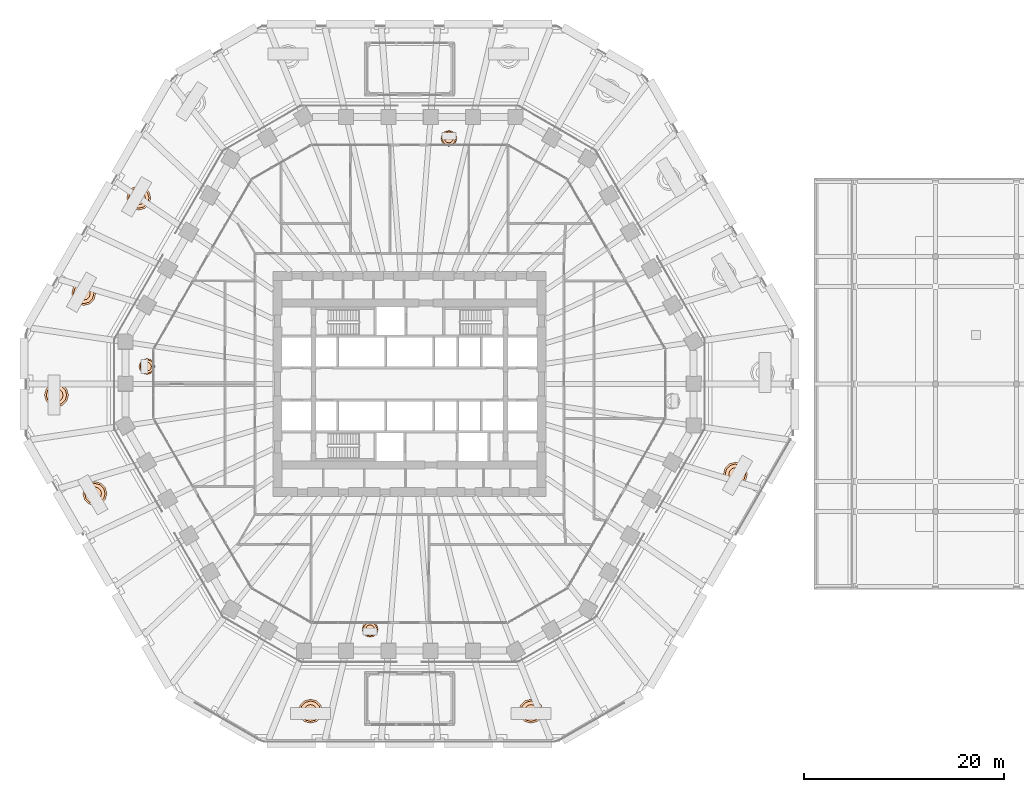
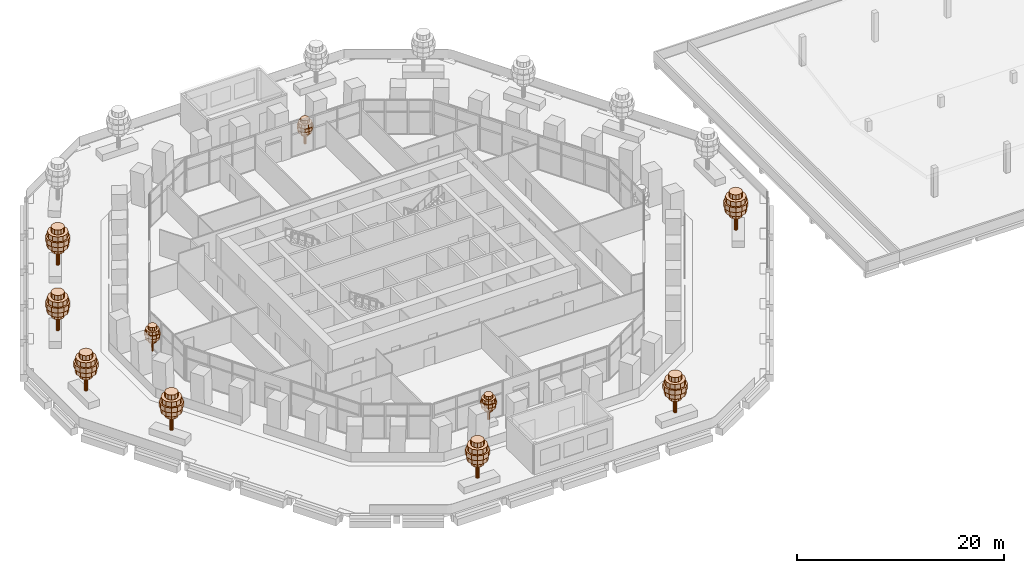
# One storey, part 31 of 32: 10 geographic elements.
"""IFC4 building model written with IfcOpenShell, lengths in metres."""

from ifc_helpers import new_model, si_unit, direction, frame, origin, place, context, subcontext, project, spatial, polyline, outline, extrude, material, type_object, element, save


model = new_model("IFC4")

# Units and contexts
model_context = context("Model", 3, precision=1e-05, world=origin(), true_north=direction((0.0, 1.0)))
body_context = subcontext(model_context, "Body", "Model", "MODEL_VIEW")
ifc_project = project(units=[si_unit("LENGTHUNIT", "METRE"), si_unit("AREAUNIT", "SQUARE_METRE"), si_unit("VOLUMEUNIT", "CUBIC_METRE"), si_unit("PLANEANGLEUNIT", "RADIAN"), si_unit("MASSUNIT", "GRAM", prefix="KILO")], contexts=[model_context])

# Site, building, storey
site_placement = place(None, origin())
site = spatial("IfcSite", under=ifc_project, at=site_placement, CompositionType="ELEMENT")
building_placement = place(site_placement, origin())
building = spatial("IfcBuilding", under=site, at=building_placement, Name="Frailejon Research Tower", CompositionType="ELEMENT")
storey_placement = place(building_placement, frame((0.0, 0.0, 14.60009765625)))
storey = spatial("IfcBuildingStorey", under=building, at=storey_placement, Name="L03", CompositionType="ELEMENT", Elevation=14.60009765625)

# Geographic elements
ifc_material_1 = material(Name="Foliage, green")
geographic_element_type_1 = type_object("IfcGeographicElementType", Name="Frailejon tree, loggia", PredefinedType="USERDEFINED", material=ifc_material_1)
geographic_element_1_placement = place(storey_placement, frame((3.942626953125, 24.550048828125, 0.599853515625)))
element("IfcGeographicElement", 1, at=geographic_element_1_placement, inside=storey, type_object=geographic_element_type_1, Name="Tree L03", ObjectType="TREE", PredefinedType="USERDEFINED", context=body_context, shape_type="SweptSolid", body=[
    extrude(outline(polyline([(0.1298828125, 0.0), (0.112548828125, 0.06494140625), (0.06494140625, 0.112548828125), (0.0, 0.1298828125), (-0.06494140625, 0.112548828125), (-0.112548828125, 0.06494140625), (-0.1298828125, 0.0), (-0.112548828125, -0.06494140625), (-0.06494140625, -0.112548828125), (0.0, -0.1298828125), (0.06494140625, -0.112548828125), (0.112548828125, -0.06494140625), (0.1298828125, 0.0)])), origin(), (0.0, 0.0, 1.0), 2.239990234375),
    extrude(outline(polyline([(0.43994140625, 0.0), (0.381103515625, 0.219970703125), (0.219970703125, 0.381103515625), (0.0, 0.43994140625), (-0.219970703125, 0.381103515625), (-0.381103515625, 0.219970703125), (-0.43994140625, 0.0), (-0.381103515625, -0.219970703125), (-0.219970703125, -0.381103515625), (0.0, -0.43994140625), (0.219970703125, -0.381103515625), (0.381103515625, -0.219970703125), (0.43994140625, 0.0)])), frame((0.0, 0.0, 1.10009765625)), (0.0, 0.0, 1.0), 0.3798828125),
    extrude(outline(polyline([(0.719970703125, 0.0), (0.62353515625, 0.360107421875), (0.360107421875, 0.62353515625), (0.0, 0.719970703125), (-0.360107421875, 0.62353515625), (-0.62353515625, 0.360107421875), (-0.719970703125, 0.0), (-0.62353515625, -0.360107421875), (-0.360107421875, -0.62353515625), (0.0, -0.719970703125), (0.360107421875, -0.62353515625), (0.62353515625, -0.360107421875), (0.719970703125, 0.0)])), frame((0.0, 0.0, 1.47998046875)), (0.0, 0.0, 1.0), 0.3798828125),
    extrude(outline(polyline([(0.800048828125, 0.0), (0.69287109375, 0.39990234375), (0.39990234375, 0.69287109375), (0.0, 0.800048828125), (-0.39990234375, 0.69287109375), (-0.69287109375, 0.39990234375), (-0.800048828125, 0.0), (-0.69287109375, -0.39990234375), (-0.39990234375, -0.69287109375), (0.0, -0.800048828125), (0.39990234375, -0.69287109375), (0.69287109375, -0.39990234375), (0.800048828125, 0.0)])), frame((0.0, 0.0, 1.860107421875)), (0.0, 0.0, 1.0), 0.3798828125),
    extrude(outline(polyline([(0.679931640625, 0.0), (0.5888671875, 0.340087890625), (0.340087890625, 0.5888671875), (0.0, 0.679931640625), (-0.340087890625, 0.5888671875), (-0.5888671875, 0.340087890625), (-0.679931640625, 0.0), (-0.5888671875, -0.340087890625), (-0.340087890625, -0.5888671875), (0.0, -0.679931640625), (0.340087890625, -0.5888671875), (0.5888671875, -0.340087890625), (0.679931640625, 0.0)])), frame((0.0, 0.0, 2.239990234375)), (0.0, 0.0, 1.0), 0.3798828125),
    extrude(outline(polyline([(0.43994140625, 0.0), (0.381103515625, 0.219970703125), (0.219970703125, 0.381103515625), (0.0, 0.43994140625), (-0.219970703125, 0.381103515625), (-0.381103515625, 0.219970703125), (-0.43994140625, 0.0), (-0.381103515625, -0.219970703125), (-0.219970703125, -0.381103515625), (0.0, -0.43994140625), (0.219970703125, -0.381103515625), (0.381103515625, -0.219970703125), (0.43994140625, 0.0)])), frame((0.0, 0.0, 2.6201171875)), (0.0, 0.0, 1.0), 0.3798828125),
])
geographic_element_2_placement = place(storey_placement, frame((-26.2626953125, 1.732177734375, 0.599853515625)))
element("IfcGeographicElement", 2, at=geographic_element_2_placement, inside=storey, type_object=geographic_element_type_1, Name="Tree L03", ObjectType="TREE", PredefinedType="USERDEFINED", context=body_context, shape_type="SweptSolid", body=[
    extrude(outline(polyline([(0.1298828125, 0.0), (0.112548828125, 0.06494140625), (0.06494140625, 0.112548828125), (0.0, 0.1298828125), (-0.06494140625, 0.112548828125), (-0.112548828125, 0.06494140625), (-0.1298828125, 0.0), (-0.112548828125, -0.06494140625), (-0.06494140625, -0.112548828125), (0.0, -0.1298828125), (0.06494140625, -0.112548828125), (0.112548828125, -0.06494140625), (0.1298828125, 0.0)])), origin(), (0.0, 0.0, 1.0), 2.239990234375),
    extrude(outline(polyline([(0.43994140625, 0.0), (0.381103515625, 0.219970703125), (0.219970703125, 0.381103515625), (0.0, 0.43994140625), (-0.219970703125, 0.381103515625), (-0.381103515625, 0.219970703125), (-0.43994140625, 0.0), (-0.381103515625, -0.219970703125), (-0.219970703125, -0.381103515625), (0.0, -0.43994140625), (0.219970703125, -0.381103515625), (0.381103515625, -0.219970703125), (0.43994140625, 0.0)])), frame((0.0, 0.0, 1.10009765625)), (0.0, 0.0, 1.0), 0.3798828125),
    extrude(outline(polyline([(0.719970703125, 0.0), (0.62353515625, 0.360107421875), (0.360107421875, 0.62353515625), (0.0, 0.719970703125), (-0.360107421875, 0.62353515625), (-0.62353515625, 0.360107421875), (-0.719970703125, 0.0), (-0.62353515625, -0.360107421875), (-0.360107421875, -0.62353515625), (0.0, -0.719970703125), (0.360107421875, -0.62353515625), (0.62353515625, -0.360107421875), (0.719970703125, 0.0)])), frame((0.0, 0.0, 1.47998046875)), (0.0, 0.0, 1.0), 0.3798828125),
    extrude(outline(polyline([(0.800048828125, 0.0), (0.69287109375, 0.39990234375), (0.39990234375, 0.69287109375), (0.0, 0.800048828125), (-0.39990234375, 0.69287109375), (-0.69287109375, 0.39990234375), (-0.800048828125, 0.0), (-0.69287109375, -0.39990234375), (-0.39990234375, -0.69287109375), (0.0, -0.800048828125), (0.39990234375, -0.69287109375), (0.69287109375, -0.39990234375), (0.800048828125, 0.0)])), frame((0.0, 0.0, 1.860107421875)), (0.0, 0.0, 1.0), 0.3798828125),
    extrude(outline(polyline([(0.679931640625, 0.0), (0.5888671875, 0.340087890625), (0.340087890625, 0.5888671875), (0.0, 0.679931640625), (-0.340087890625, 0.5888671875), (-0.5888671875, 0.340087890625), (-0.679931640625, 0.0), (-0.5888671875, -0.340087890625), (-0.340087890625, -0.5888671875), (0.0, -0.679931640625), (0.340087890625, -0.5888671875), (0.5888671875, -0.340087890625), (0.679931640625, 0.0)])), frame((0.0, 0.0, 2.239990234375)), (0.0, 0.0, 1.0), 0.3798828125),
    extrude(outline(polyline([(0.43994140625, 0.0), (0.381103515625, 0.219970703125), (0.219970703125, 0.381103515625), (0.0, 0.43994140625), (-0.219970703125, 0.381103515625), (-0.381103515625, 0.219970703125), (-0.43994140625, 0.0), (-0.381103515625, -0.219970703125), (-0.219970703125, -0.381103515625), (0.0, -0.43994140625), (0.219970703125, -0.381103515625), (0.381103515625, -0.219970703125), (0.43994140625, 0.0)])), frame((0.0, 0.0, 2.6201171875)), (0.0, 0.0, 1.0), 0.3798828125),
])
geographic_element_3_placement = place(storey_placement, frame((-3.942626953125, -24.550048828125, 0.599853515625)))
element("IfcGeographicElement", 3, at=geographic_element_3_placement, inside=storey, type_object=geographic_element_type_1, Name="Tree L03", ObjectType="TREE", PredefinedType="USERDEFINED", context=body_context, shape_type="SweptSolid", body=[
    extrude(outline(polyline([(0.1298828125, 0.0), (0.112548828125, 0.06494140625), (0.06494140625, 0.112548828125), (0.0, 0.1298828125), (-0.06494140625, 0.112548828125), (-0.112548828125, 0.06494140625), (-0.1298828125, 0.0), (-0.112548828125, -0.06494140625), (-0.06494140625, -0.112548828125), (0.0, -0.1298828125), (0.06494140625, -0.112548828125), (0.112548828125, -0.06494140625), (0.1298828125, 0.0)])), origin(), (0.0, 0.0, 1.0), 2.239990234375),
    extrude(outline(polyline([(0.43994140625, 0.0), (0.381103515625, 0.219970703125), (0.219970703125, 0.381103515625), (0.0, 0.43994140625), (-0.219970703125, 0.381103515625), (-0.381103515625, 0.219970703125), (-0.43994140625, 0.0), (-0.381103515625, -0.219970703125), (-0.219970703125, -0.381103515625), (0.0, -0.43994140625), (0.219970703125, -0.381103515625), (0.381103515625, -0.219970703125), (0.43994140625, 0.0)])), frame((0.0, 0.0, 1.10009765625)), (0.0, 0.0, 1.0), 0.3798828125),
    extrude(outline(polyline([(0.719970703125, 0.0), (0.62353515625, 0.360107421875), (0.360107421875, 0.62353515625), (0.0, 0.719970703125), (-0.360107421875, 0.62353515625), (-0.62353515625, 0.360107421875), (-0.719970703125, 0.0), (-0.62353515625, -0.360107421875), (-0.360107421875, -0.62353515625), (0.0, -0.719970703125), (0.360107421875, -0.62353515625), (0.62353515625, -0.360107421875), (0.719970703125, 0.0)])), frame((0.0, 0.0, 1.47998046875)), (0.0, 0.0, 1.0), 0.3798828125),
    extrude(outline(polyline([(0.800048828125, 0.0), (0.69287109375, 0.39990234375), (0.39990234375, 0.69287109375), (0.0, 0.800048828125), (-0.39990234375, 0.69287109375), (-0.69287109375, 0.39990234375), (-0.800048828125, 0.0), (-0.69287109375, -0.39990234375), (-0.39990234375, -0.69287109375), (0.0, -0.800048828125), (0.39990234375, -0.69287109375), (0.69287109375, -0.39990234375), (0.800048828125, 0.0)])), frame((0.0, 0.0, 1.860107421875)), (0.0, 0.0, 1.0), 0.3798828125),
    extrude(outline(polyline([(0.679931640625, 0.0), (0.5888671875, 0.340087890625), (0.340087890625, 0.5888671875), (0.0, 0.679931640625), (-0.340087890625, 0.5888671875), (-0.5888671875, 0.340087890625), (-0.679931640625, 0.0), (-0.5888671875, -0.340087890625), (-0.340087890625, -0.5888671875), (0.0, -0.679931640625), (0.340087890625, -0.5888671875), (0.5888671875, -0.340087890625), (0.679931640625, 0.0)])), frame((0.0, 0.0, 2.239990234375)), (0.0, 0.0, 1.0), 0.3798828125),
    extrude(outline(polyline([(0.43994140625, 0.0), (0.381103515625, 0.219970703125), (0.219970703125, 0.381103515625), (0.0, 0.43994140625), (-0.219970703125, 0.381103515625), (-0.381103515625, 0.219970703125), (-0.43994140625, 0.0), (-0.381103515625, -0.219970703125), (-0.219970703125, -0.381103515625), (0.0, -0.43994140625), (0.219970703125, -0.381103515625), (0.381103515625, -0.219970703125), (0.43994140625, 0.0)])), frame((0.0, 0.0, 2.6201171875)), (0.0, 0.0, 1.0), 0.3798828125),
])
ifc_material_2 = material(Name="Foliage, green")
geographic_element_type_2 = type_object("IfcGeographicElementType", Name="Frailejon tree, terrace", PredefinedType="USERDEFINED", material=ifc_material_2)
geographic_element_4_placement = place(storey_placement, frame((-27.084716796875, 18.587646484375, 0.829833984375)))
element("IfcGeographicElement", 4, at=geographic_element_4_placement, inside=storey, type_object=geographic_element_type_2, Name="Tree L03", ObjectType="TREE", PredefinedType="USERDEFINED", context=body_context, shape_type="SweptSolid", body=[
    extrude(outline(polyline([(0.18994140625, 0.0), (0.16455078125, 0.094970703125), (0.094970703125, 0.16455078125), (0.0, 0.18994140625), (-0.094970703125, 0.16455078125), (-0.16455078125, 0.094970703125), (-0.18994140625, 0.0), (-0.16455078125, -0.094970703125), (-0.094970703125, -0.16455078125), (0.0, -0.18994140625), (0.094970703125, -0.16455078125), (0.16455078125, -0.094970703125), (0.18994140625, 0.0)])), origin(), (0.0, 0.0, 1.0), 3.360107421875),
    extrude(outline(polyline([(0.659912109375, 0.0), (0.571533203125, 0.330078125), (0.330078125, 0.571533203125), (0.0, 0.659912109375), (-0.330078125, 0.571533203125), (-0.571533203125, 0.330078125), (-0.659912109375, 0.0), (-0.571533203125, -0.330078125), (-0.330078125, -0.571533203125), (0.0, -0.659912109375), (0.330078125, -0.571533203125), (0.571533203125, -0.330078125), (0.659912109375, 0.0)])), frame((0.0, 0.0, 1.64990234375)), (0.0, 0.0, 1.0), 0.570068359375),
    extrude(outline(polyline([(1.080078125, 0.0), (0.935302734375, 0.5400390625), (0.5400390625, 0.935302734375), (0.0, 1.080078125), (-0.5400390625, 0.935302734375), (-0.935302734375, 0.5400390625), (-1.080078125, 0.0), (-0.935302734375, -0.5400390625), (-0.5400390625, -0.935302734375), (0.0, -1.080078125), (0.5400390625, -0.935302734375), (0.935302734375, -0.5400390625), (1.080078125, 0.0)])), frame((0.0, 0.0, 2.219970703125)), (0.0, 0.0, 1.0), 0.570068359375),
    extrude(outline(polyline([(1.199951171875, 0.0), (1.039306640625, 0.60009765625), (0.60009765625, 1.039306640625), (0.0, 1.199951171875), (-0.60009765625, 1.039306640625), (-1.039306640625, 0.60009765625), (-1.199951171875, 0.0), (-1.039306640625, -0.60009765625), (-0.60009765625, -1.039306640625), (0.0, -1.199951171875), (0.60009765625, -1.039306640625), (1.039306640625, -0.60009765625), (1.199951171875, 0.0)])), frame((0.0, 0.0, 2.7900390625)), (0.0, 0.0, 1.0), 0.570068359375),
    extrude(outline(polyline([(1.02001953125, 0.0), (0.88330078125, 0.510009765625), (0.510009765625, 0.88330078125), (0.0, 1.02001953125), (-0.510009765625, 0.88330078125), (-0.88330078125, 0.510009765625), (-1.02001953125, 0.0), (-0.88330078125, -0.510009765625), (-0.510009765625, -0.88330078125), (0.0, -1.02001953125), (0.510009765625, -0.88330078125), (0.88330078125, -0.510009765625), (1.02001953125, 0.0)])), frame((0.0, 0.0, 3.360107421875)), (0.0, 0.0, 1.0), 0.570068359375),
    extrude(outline(polyline([(0.659912109375, 0.0), (0.571533203125, 0.330078125), (0.330078125, 0.571533203125), (0.0, 0.659912109375), (-0.330078125, 0.571533203125), (-0.571533203125, 0.330078125), (-0.659912109375, 0.0), (-0.571533203125, -0.330078125), (-0.330078125, -0.571533203125), (0.0, -0.659912109375), (0.330078125, -0.571533203125), (0.571533203125, -0.330078125), (0.659912109375, 0.0)])), frame((0.0, 0.0, 3.929931640625)), (0.0, 0.0, 1.0), 0.570068359375),
])
geographic_element_5_placement = place(storey_placement, frame((-32.5966796875, 9.040771484375, 0.829833984375)))
element("IfcGeographicElement", 5, at=geographic_element_5_placement, inside=storey, type_object=geographic_element_type_2, Name="Tree L03", ObjectType="TREE", PredefinedType="USERDEFINED", context=body_context, shape_type="SweptSolid", body=[
    extrude(outline(polyline([(0.18994140625, 0.0), (0.16455078125, 0.094970703125), (0.094970703125, 0.16455078125), (0.0, 0.18994140625), (-0.094970703125, 0.16455078125), (-0.16455078125, 0.094970703125), (-0.18994140625, 0.0), (-0.16455078125, -0.094970703125), (-0.094970703125, -0.16455078125), (0.0, -0.18994140625), (0.094970703125, -0.16455078125), (0.16455078125, -0.094970703125), (0.18994140625, 0.0)])), origin(), (0.0, 0.0, 1.0), 3.360107421875),
    extrude(outline(polyline([(0.659912109375, 0.0), (0.571533203125, 0.330078125), (0.330078125, 0.571533203125), (0.0, 0.659912109375), (-0.330078125, 0.571533203125), (-0.571533203125, 0.330078125), (-0.659912109375, 0.0), (-0.571533203125, -0.330078125), (-0.330078125, -0.571533203125), (0.0, -0.659912109375), (0.330078125, -0.571533203125), (0.571533203125, -0.330078125), (0.659912109375, 0.0)])), frame((0.0, 0.0, 1.64990234375)), (0.0, 0.0, 1.0), 0.570068359375),
    extrude(outline(polyline([(1.080078125, 0.0), (0.935302734375, 0.5400390625), (0.5400390625, 0.935302734375), (0.0, 1.080078125), (-0.5400390625, 0.935302734375), (-0.935302734375, 0.5400390625), (-1.080078125, 0.0), (-0.935302734375, -0.5400390625), (-0.5400390625, -0.935302734375), (0.0, -1.080078125), (0.5400390625, -0.935302734375), (0.935302734375, -0.5400390625), (1.080078125, 0.0)])), frame((0.0, 0.0, 2.219970703125)), (0.0, 0.0, 1.0), 0.570068359375),
    extrude(outline(polyline([(1.199951171875, 0.0), (1.039306640625, 0.60009765625), (0.60009765625, 1.039306640625), (0.0, 1.199951171875), (-0.60009765625, 1.039306640625), (-1.039306640625, 0.60009765625), (-1.199951171875, 0.0), (-1.039306640625, -0.60009765625), (-0.60009765625, -1.039306640625), (0.0, -1.199951171875), (0.60009765625, -1.039306640625), (1.039306640625, -0.60009765625), (1.199951171875, 0.0)])), frame((0.0, 0.0, 2.7900390625)), (0.0, 0.0, 1.0), 0.570068359375),
    extrude(outline(polyline([(1.02001953125, 0.0), (0.88330078125, 0.510009765625), (0.510009765625, 0.88330078125), (0.0, 1.02001953125), (-0.510009765625, 0.88330078125), (-0.88330078125, 0.510009765625), (-1.02001953125, 0.0), (-0.88330078125, -0.510009765625), (-0.510009765625, -0.88330078125), (0.0, -1.02001953125), (0.510009765625, -0.88330078125), (0.88330078125, -0.510009765625), (1.02001953125, 0.0)])), frame((0.0, 0.0, 3.360107421875)), (0.0, 0.0, 1.0), 0.570068359375),
    extrude(outline(polyline([(0.659912109375, 0.0), (0.571533203125, 0.330078125), (0.330078125, 0.571533203125), (0.0, 0.659912109375), (-0.330078125, 0.571533203125), (-0.571533203125, 0.330078125), (-0.659912109375, 0.0), (-0.571533203125, -0.330078125), (-0.330078125, -0.571533203125), (0.0, -0.659912109375), (0.330078125, -0.571533203125), (0.571533203125, -0.330078125), (0.659912109375, 0.0)])), frame((0.0, 0.0, 3.929931640625)), (0.0, 0.0, 1.0), 0.570068359375),
])
geographic_element_6_placement = place(storey_placement, frame((-35.319091796875, -1.11962890625, 0.829833984375)))
element("IfcGeographicElement", 6, at=geographic_element_6_placement, inside=storey, type_object=geographic_element_type_2, Name="Tree L03", ObjectType="TREE", PredefinedType="USERDEFINED", context=body_context, shape_type="SweptSolid", body=[
    extrude(outline(polyline([(0.18994140625, 0.0), (0.16455078125, 0.094970703125), (0.094970703125, 0.16455078125), (0.0, 0.18994140625), (-0.094970703125, 0.16455078125), (-0.16455078125, 0.094970703125), (-0.18994140625, 0.0), (-0.16455078125, -0.094970703125), (-0.094970703125, -0.16455078125), (0.0, -0.18994140625), (0.094970703125, -0.16455078125), (0.16455078125, -0.094970703125), (0.18994140625, 0.0)])), origin(), (0.0, 0.0, 1.0), 3.360107421875),
    extrude(outline(polyline([(0.659912109375, 0.0), (0.571533203125, 0.330078125), (0.330078125, 0.571533203125), (0.0, 0.659912109375), (-0.330078125, 0.571533203125), (-0.571533203125, 0.330078125), (-0.659912109375, 0.0), (-0.571533203125, -0.330078125), (-0.330078125, -0.571533203125), (0.0, -0.659912109375), (0.330078125, -0.571533203125), (0.571533203125, -0.330078125), (0.659912109375, 0.0)])), frame((0.0, 0.0, 1.64990234375)), (0.0, 0.0, 1.0), 0.570068359375),
    extrude(outline(polyline([(1.080078125, 0.0), (0.935302734375, 0.5400390625), (0.5400390625, 0.935302734375), (0.0, 1.080078125), (-0.5400390625, 0.935302734375), (-0.935302734375, 0.5400390625), (-1.080078125, 0.0), (-0.935302734375, -0.5400390625), (-0.5400390625, -0.935302734375), (0.0, -1.080078125), (0.5400390625, -0.935302734375), (0.935302734375, -0.5400390625), (1.080078125, 0.0)])), frame((0.0, 0.0, 2.219970703125)), (0.0, 0.0, 1.0), 0.570068359375),
    extrude(outline(polyline([(1.199951171875, 0.0), (1.039306640625, 0.60009765625), (0.60009765625, 1.039306640625), (0.0, 1.199951171875), (-0.60009765625, 1.039306640625), (-1.039306640625, 0.60009765625), (-1.199951171875, 0.0), (-1.039306640625, -0.60009765625), (-0.60009765625, -1.039306640625), (0.0, -1.199951171875), (0.60009765625, -1.039306640625), (1.039306640625, -0.60009765625), (1.199951171875, 0.0)])), frame((0.0, 0.0, 2.7900390625)), (0.0, 0.0, 1.0), 0.570068359375),
    extrude(outline(polyline([(1.02001953125, 0.0), (0.88330078125, 0.510009765625), (0.510009765625, 0.88330078125), (0.0, 1.02001953125), (-0.510009765625, 0.88330078125), (-0.88330078125, 0.510009765625), (-1.02001953125, 0.0), (-0.88330078125, -0.510009765625), (-0.510009765625, -0.88330078125), (0.0, -1.02001953125), (0.510009765625, -0.88330078125), (0.88330078125, -0.510009765625), (1.02001953125, 0.0)])), frame((0.0, 0.0, 3.360107421875)), (0.0, 0.0, 1.0), 0.570068359375),
    extrude(outline(polyline([(0.659912109375, 0.0), (0.571533203125, 0.330078125), (0.330078125, 0.571533203125), (0.0, 0.659912109375), (-0.330078125, 0.571533203125), (-0.571533203125, 0.330078125), (-0.659912109375, 0.0), (-0.571533203125, -0.330078125), (-0.330078125, -0.571533203125), (0.0, -0.659912109375), (0.330078125, -0.571533203125), (0.571533203125, -0.330078125), (0.659912109375, 0.0)])), frame((0.0, 0.0, 3.929931640625)), (0.0, 0.0, 1.0), 0.570068359375),
])
geographic_element_7_placement = place(storey_placement, frame((-31.47705078125, -10.97998046875, 0.829833984375)))
element("IfcGeographicElement", 7, at=geographic_element_7_placement, inside=storey, type_object=geographic_element_type_2, Name="Tree L03", ObjectType="TREE", PredefinedType="USERDEFINED", context=body_context, shape_type="SweptSolid", body=[
    extrude(outline(polyline([(0.18994140625, 0.0), (0.16455078125, 0.094970703125), (0.094970703125, 0.16455078125), (0.0, 0.18994140625), (-0.094970703125, 0.16455078125), (-0.16455078125, 0.094970703125), (-0.18994140625, 0.0), (-0.16455078125, -0.094970703125), (-0.094970703125, -0.16455078125), (0.0, -0.18994140625), (0.094970703125, -0.16455078125), (0.16455078125, -0.094970703125), (0.18994140625, 0.0)])), origin(), (0.0, 0.0, 1.0), 3.360107421875),
    extrude(outline(polyline([(0.659912109375, 0.0), (0.571533203125, 0.330078125), (0.330078125, 0.571533203125), (0.0, 0.659912109375), (-0.330078125, 0.571533203125), (-0.571533203125, 0.330078125), (-0.659912109375, 0.0), (-0.571533203125, -0.330078125), (-0.330078125, -0.571533203125), (0.0, -0.659912109375), (0.330078125, -0.571533203125), (0.571533203125, -0.330078125), (0.659912109375, 0.0)])), frame((0.0, 0.0, 1.64990234375)), (0.0, 0.0, 1.0), 0.570068359375),
    extrude(outline(polyline([(1.080078125, 0.0), (0.935302734375, 0.5400390625), (0.5400390625, 0.935302734375), (0.0, 1.080078125), (-0.5400390625, 0.935302734375), (-0.935302734375, 0.5400390625), (-1.080078125, 0.0), (-0.935302734375, -0.5400390625), (-0.5400390625, -0.935302734375), (0.0, -1.080078125), (0.5400390625, -0.935302734375), (0.935302734375, -0.5400390625), (1.080078125, 0.0)])), frame((0.0, 0.0, 2.219970703125)), (0.0, 0.0, 1.0), 0.570068359375),
    extrude(outline(polyline([(1.199951171875, 0.0), (1.039306640625, 0.60009765625), (0.60009765625, 1.039306640625), (0.0, 1.199951171875), (-0.60009765625, 1.039306640625), (-1.039306640625, 0.60009765625), (-1.199951171875, 0.0), (-1.039306640625, -0.60009765625), (-0.60009765625, -1.039306640625), (0.0, -1.199951171875), (0.60009765625, -1.039306640625), (1.039306640625, -0.60009765625), (1.199951171875, 0.0)])), frame((0.0, 0.0, 2.7900390625)), (0.0, 0.0, 1.0), 0.570068359375),
    extrude(outline(polyline([(1.02001953125, 0.0), (0.88330078125, 0.510009765625), (0.510009765625, 0.88330078125), (0.0, 1.02001953125), (-0.510009765625, 0.88330078125), (-0.88330078125, 0.510009765625), (-1.02001953125, 0.0), (-0.88330078125, -0.510009765625), (-0.510009765625, -0.88330078125), (0.0, -1.02001953125), (0.510009765625, -0.88330078125), (0.88330078125, -0.510009765625), (1.02001953125, 0.0)])), frame((0.0, 0.0, 3.360107421875)), (0.0, 0.0, 1.0), 0.570068359375),
    extrude(outline(polyline([(0.659912109375, 0.0), (0.571533203125, 0.330078125), (0.330078125, 0.571533203125), (0.0, 0.659912109375), (-0.330078125, 0.571533203125), (-0.571533203125, 0.330078125), (-0.659912109375, 0.0), (-0.571533203125, -0.330078125), (-0.330078125, -0.571533203125), (0.0, -0.659912109375), (0.330078125, -0.571533203125), (0.571533203125, -0.330078125), (0.659912109375, 0.0)])), frame((0.0, 0.0, 3.929931640625)), (0.0, 0.0, 1.0), 0.570068359375),
])
geographic_element_8_placement = place(storey_placement, frame((-9.904296875, -32.75, 0.829833984375)))
element("IfcGeographicElement", 8, at=geographic_element_8_placement, inside=storey, type_object=geographic_element_type_2, Name="Tree L03", ObjectType="TREE", PredefinedType="USERDEFINED", context=body_context, shape_type="SweptSolid", body=[
    extrude(outline(polyline([(0.18994140625, 0.0), (0.16455078125, 0.094970703125), (0.094970703125, 0.16455078125), (0.0, 0.18994140625), (-0.094970703125, 0.16455078125), (-0.16455078125, 0.094970703125), (-0.18994140625, 0.0), (-0.16455078125, -0.094970703125), (-0.094970703125, -0.16455078125), (0.0, -0.18994140625), (0.094970703125, -0.16455078125), (0.16455078125, -0.094970703125), (0.18994140625, 0.0)])), origin(), (0.0, 0.0, 1.0), 3.360107421875),
    extrude(outline(polyline([(0.659912109375, 0.0), (0.571533203125, 0.330078125), (0.330078125, 0.571533203125), (0.0, 0.659912109375), (-0.330078125, 0.571533203125), (-0.571533203125, 0.330078125), (-0.659912109375, 0.0), (-0.571533203125, -0.330078125), (-0.330078125, -0.571533203125), (0.0, -0.659912109375), (0.330078125, -0.571533203125), (0.571533203125, -0.330078125), (0.659912109375, 0.0)])), frame((0.0, 0.0, 1.64990234375)), (0.0, 0.0, 1.0), 0.570068359375),
    extrude(outline(polyline([(1.080078125, 0.0), (0.935302734375, 0.5400390625), (0.5400390625, 0.935302734375), (0.0, 1.080078125), (-0.5400390625, 0.935302734375), (-0.935302734375, 0.5400390625), (-1.080078125, 0.0), (-0.935302734375, -0.5400390625), (-0.5400390625, -0.935302734375), (0.0, -1.080078125), (0.5400390625, -0.935302734375), (0.935302734375, -0.5400390625), (1.080078125, 0.0)])), frame((0.0, 0.0, 2.219970703125)), (0.0, 0.0, 1.0), 0.570068359375),
    extrude(outline(polyline([(1.199951171875, 0.0), (1.039306640625, 0.60009765625), (0.60009765625, 1.039306640625), (0.0, 1.199951171875), (-0.60009765625, 1.039306640625), (-1.039306640625, 0.60009765625), (-1.199951171875, 0.0), (-1.039306640625, -0.60009765625), (-0.60009765625, -1.039306640625), (0.0, -1.199951171875), (0.60009765625, -1.039306640625), (1.039306640625, -0.60009765625), (1.199951171875, 0.0)])), frame((0.0, 0.0, 2.7900390625)), (0.0, 0.0, 1.0), 0.570068359375),
    extrude(outline(polyline([(1.02001953125, 0.0), (0.88330078125, 0.510009765625), (0.510009765625, 0.88330078125), (0.0, 1.02001953125), (-0.510009765625, 0.88330078125), (-0.88330078125, 0.510009765625), (-1.02001953125, 0.0), (-0.88330078125, -0.510009765625), (-0.510009765625, -0.88330078125), (0.0, -1.02001953125), (0.510009765625, -0.88330078125), (0.88330078125, -0.510009765625), (1.02001953125, 0.0)])), frame((0.0, 0.0, 3.360107421875)), (0.0, 0.0, 1.0), 0.570068359375),
    extrude(outline(polyline([(0.659912109375, 0.0), (0.571533203125, 0.330078125), (0.330078125, 0.571533203125), (0.0, 0.659912109375), (-0.330078125, 0.571533203125), (-0.571533203125, 0.330078125), (-0.659912109375, 0.0), (-0.571533203125, -0.330078125), (-0.330078125, -0.571533203125), (0.0, -0.659912109375), (0.330078125, -0.571533203125), (0.571533203125, -0.330078125), (0.659912109375, 0.0)])), frame((0.0, 0.0, 3.929931640625)), (0.0, 0.0, 1.0), 0.570068359375),
])
geographic_element_9_placement = place(storey_placement, frame((12.1435546875, -32.75, 0.829833984375)))
element("IfcGeographicElement", 9, at=geographic_element_9_placement, inside=storey, type_object=geographic_element_type_2, Name="Tree L03", ObjectType="TREE", PredefinedType="USERDEFINED", context=body_context, shape_type="SweptSolid", body=[
    extrude(outline(polyline([(0.18994140625, 0.0), (0.16455078125, 0.094970703125), (0.094970703125, 0.16455078125), (0.0, 0.18994140625), (-0.094970703125, 0.16455078125), (-0.16455078125, 0.094970703125), (-0.18994140625, 0.0), (-0.16455078125, -0.094970703125), (-0.094970703125, -0.16455078125), (0.0, -0.18994140625), (0.094970703125, -0.16455078125), (0.16455078125, -0.094970703125), (0.18994140625, 0.0)])), origin(), (0.0, 0.0, 1.0), 3.360107421875),
    extrude(outline(polyline([(0.659912109375, 0.0), (0.571533203125, 0.330078125), (0.330078125, 0.571533203125), (0.0, 0.659912109375), (-0.330078125, 0.571533203125), (-0.571533203125, 0.330078125), (-0.659912109375, 0.0), (-0.571533203125, -0.330078125), (-0.330078125, -0.571533203125), (0.0, -0.659912109375), (0.330078125, -0.571533203125), (0.571533203125, -0.330078125), (0.659912109375, 0.0)])), frame((0.0, 0.0, 1.64990234375)), (0.0, 0.0, 1.0), 0.570068359375),
    extrude(outline(polyline([(1.080078125, 0.0), (0.935302734375, 0.5400390625), (0.5400390625, 0.935302734375), (0.0, 1.080078125), (-0.5400390625, 0.935302734375), (-0.935302734375, 0.5400390625), (-1.080078125, 0.0), (-0.935302734375, -0.5400390625), (-0.5400390625, -0.935302734375), (0.0, -1.080078125), (0.5400390625, -0.935302734375), (0.935302734375, -0.5400390625), (1.080078125, 0.0)])), frame((0.0, 0.0, 2.219970703125)), (0.0, 0.0, 1.0), 0.570068359375),
    extrude(outline(polyline([(1.199951171875, 0.0), (1.039306640625, 0.60009765625), (0.60009765625, 1.039306640625), (0.0, 1.199951171875), (-0.60009765625, 1.039306640625), (-1.039306640625, 0.60009765625), (-1.199951171875, 0.0), (-1.039306640625, -0.60009765625), (-0.60009765625, -1.039306640625), (0.0, -1.199951171875), (0.60009765625, -1.039306640625), (1.039306640625, -0.60009765625), (1.199951171875, 0.0)])), frame((0.0, 0.0, 2.7900390625)), (0.0, 0.0, 1.0), 0.570068359375),
    extrude(outline(polyline([(1.02001953125, 0.0), (0.88330078125, 0.510009765625), (0.510009765625, 0.88330078125), (0.0, 1.02001953125), (-0.510009765625, 0.88330078125), (-0.88330078125, 0.510009765625), (-1.02001953125, 0.0), (-0.88330078125, -0.510009765625), (-0.510009765625, -0.88330078125), (0.0, -1.02001953125), (0.510009765625, -0.88330078125), (0.88330078125, -0.510009765625), (1.02001953125, 0.0)])), frame((0.0, 0.0, 3.360107421875)), (0.0, 0.0, 1.0), 0.570068359375),
    extrude(outline(polyline([(0.659912109375, 0.0), (0.571533203125, 0.330078125), (0.330078125, 0.571533203125), (0.0, 0.659912109375), (-0.330078125, 0.571533203125), (-0.571533203125, 0.330078125), (-0.659912109375, 0.0), (-0.571533203125, -0.330078125), (-0.330078125, -0.571533203125), (0.0, -0.659912109375), (0.330078125, -0.571533203125), (0.571533203125, -0.330078125), (0.659912109375, 0.0)])), frame((0.0, 0.0, 3.929931640625)), (0.0, 0.0, 1.0), 0.570068359375),
])
geographic_element_10_placement = place(storey_placement, frame((32.5966796875, -9.040771484375, 0.829833984375)))
element("IfcGeographicElement", 10, at=geographic_element_10_placement, inside=storey, type_object=geographic_element_type_2, Name="Tree L03", ObjectType="TREE", PredefinedType="USERDEFINED", context=body_context, shape_type="SweptSolid", body=[
    extrude(outline(polyline([(0.18994140625, 0.0), (0.16455078125, 0.094970703125), (0.094970703125, 0.16455078125), (0.0, 0.18994140625), (-0.094970703125, 0.16455078125), (-0.16455078125, 0.094970703125), (-0.18994140625, 0.0), (-0.16455078125, -0.094970703125), (-0.094970703125, -0.16455078125), (0.0, -0.18994140625), (0.094970703125, -0.16455078125), (0.16455078125, -0.094970703125), (0.18994140625, 0.0)])), origin(), (0.0, 0.0, 1.0), 3.360107421875),
    extrude(outline(polyline([(0.659912109375, 0.0), (0.571533203125, 0.330078125), (0.330078125, 0.571533203125), (0.0, 0.659912109375), (-0.330078125, 0.571533203125), (-0.571533203125, 0.330078125), (-0.659912109375, 0.0), (-0.571533203125, -0.330078125), (-0.330078125, -0.571533203125), (0.0, -0.659912109375), (0.330078125, -0.571533203125), (0.571533203125, -0.330078125), (0.659912109375, 0.0)])), frame((0.0, 0.0, 1.64990234375)), (0.0, 0.0, 1.0), 0.570068359375),
    extrude(outline(polyline([(1.080078125, 0.0), (0.935302734375, 0.5400390625), (0.5400390625, 0.935302734375), (0.0, 1.080078125), (-0.5400390625, 0.935302734375), (-0.935302734375, 0.5400390625), (-1.080078125, 0.0), (-0.935302734375, -0.5400390625), (-0.5400390625, -0.935302734375), (0.0, -1.080078125), (0.5400390625, -0.935302734375), (0.935302734375, -0.5400390625), (1.080078125, 0.0)])), frame((0.0, 0.0, 2.219970703125)), (0.0, 0.0, 1.0), 0.570068359375),
    extrude(outline(polyline([(1.199951171875, 0.0), (1.039306640625, 0.60009765625), (0.60009765625, 1.039306640625), (0.0, 1.199951171875), (-0.60009765625, 1.039306640625), (-1.039306640625, 0.60009765625), (-1.199951171875, 0.0), (-1.039306640625, -0.60009765625), (-0.60009765625, -1.039306640625), (0.0, -1.199951171875), (0.60009765625, -1.039306640625), (1.039306640625, -0.60009765625), (1.199951171875, 0.0)])), frame((0.0, 0.0, 2.7900390625)), (0.0, 0.0, 1.0), 0.570068359375),
    extrude(outline(polyline([(1.02001953125, 0.0), (0.88330078125, 0.510009765625), (0.510009765625, 0.88330078125), (0.0, 1.02001953125), (-0.510009765625, 0.88330078125), (-0.88330078125, 0.510009765625), (-1.02001953125, 0.0), (-0.88330078125, -0.510009765625), (-0.510009765625, -0.88330078125), (0.0, -1.02001953125), (0.510009765625, -0.88330078125), (0.88330078125, -0.510009765625), (1.02001953125, 0.0)])), frame((0.0, 0.0, 3.360107421875)), (0.0, 0.0, 1.0), 0.570068359375),
    extrude(outline(polyline([(0.659912109375, 0.0), (0.571533203125, 0.330078125), (0.330078125, 0.571533203125), (0.0, 0.659912109375), (-0.330078125, 0.571533203125), (-0.571533203125, 0.330078125), (-0.659912109375, 0.0), (-0.571533203125, -0.330078125), (-0.330078125, -0.571533203125), (0.0, -0.659912109375), (0.330078125, -0.571533203125), (0.571533203125, -0.330078125), (0.659912109375, 0.0)])), frame((0.0, 0.0, 3.929931640625)), (0.0, 0.0, 1.0), 0.570068359375),
])

save(model, "model.ifc")
